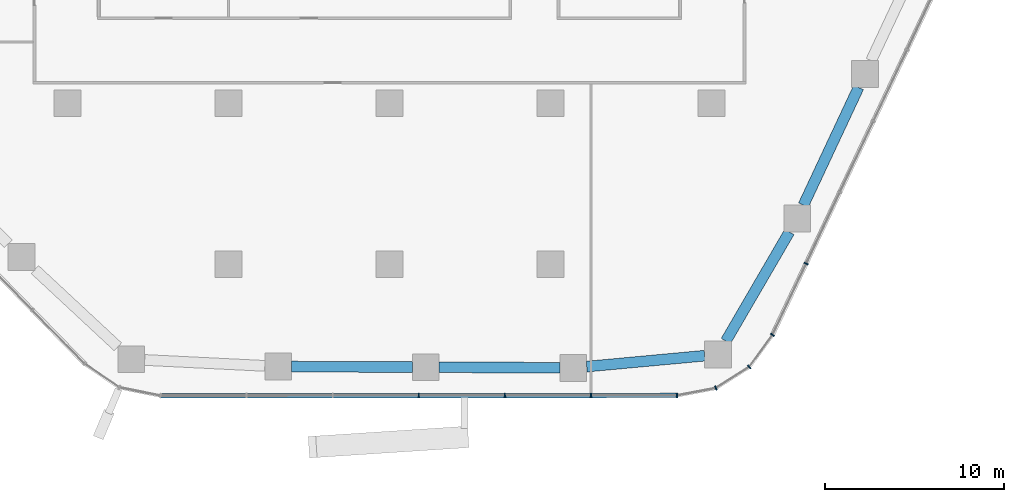
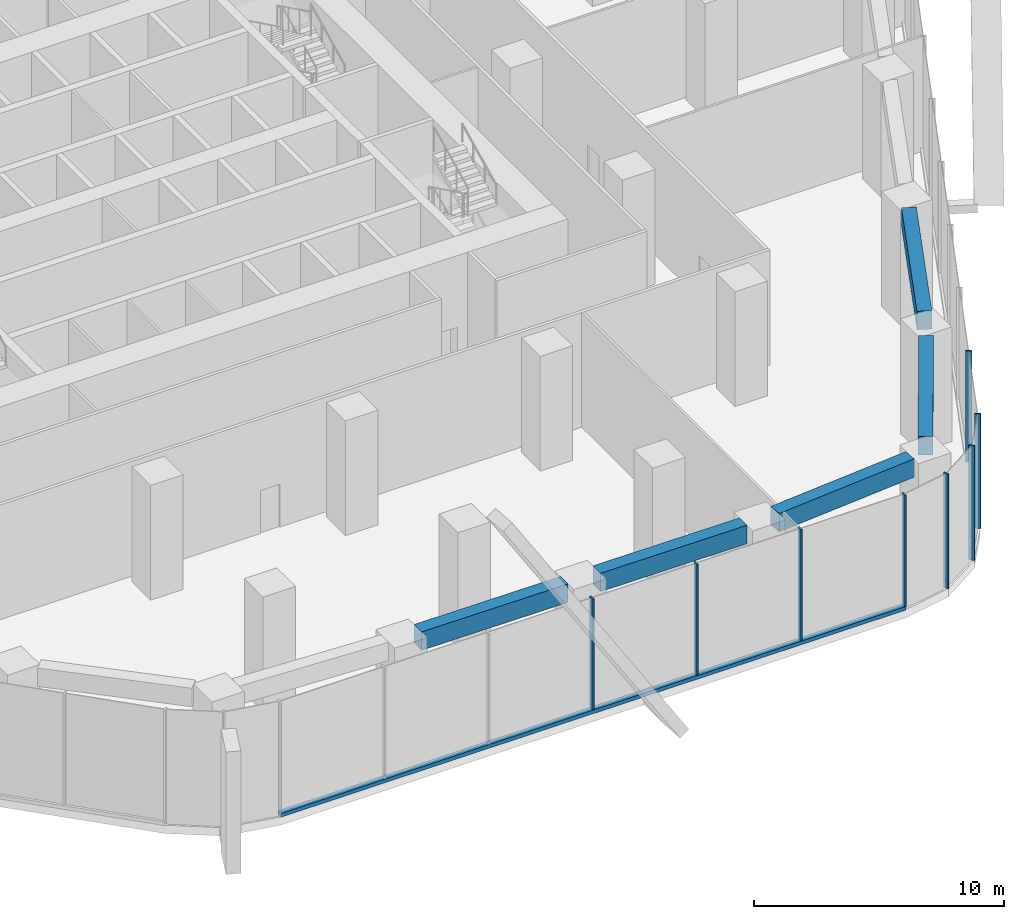
# One storey, part 3 of 19: 9 members, 5 beams, 3 elements without a shape of their own.
"""IFC4 building model written with IfcOpenShell, lengths in metres."""

import ifcopenshell
import ifcopenshell.guid

model = None  # the IFC model being written
_history = None  # IfcOwnerHistory: only IFC2X3 demands one
_inside = {}  # id of a spatial element -> (the spatial element, [elements in it])
_under = {}  # id of a project, library or spatial element -> (it, [spatial elements below it])
_declared = {}  # id of a project -> (the project, [libraries it declares])
_typed = {}  # id of a type object -> (the type object, [elements of that type])
_made_of = {}  # id of a material, layer set ... -> (it, [elements and type objects made of it])


def new_model(schema):
    """Start an empty IFC model of exactly this schema.

    Asked for "IFC4X3", IfcOpenShell would pick the latest addendum, in which some entities
    have other attributes; the version numbers below select the first issue.
    IFC2X3 requires an IfcOwnerHistory on every rooted entity: one is made here for all.
    """
    global model, _history
    if schema == "IFC4X3":
        model = ifcopenshell.file(schema_version=(4, 3, 0, 0))
    else:
        model = ifcopenshell.file(schema=schema)
    _inside.clear()
    _under.clear()
    _declared.clear()
    _typed.clear()
    _made_of.clear()
    _history = None
    if model.schema == "IFC2X3":
        org = make("IfcOrganization", Name="unknown")
        user = make(
            "IfcPersonAndOrganization",
            ThePerson=make("IfcPerson", FamilyName="unknown"),
            TheOrganization=org,
        )
        app = make(
            "IfcApplication",
            ApplicationDeveloper=org,
            Version="unknown",
            ApplicationFullName="unknown",
            ApplicationIdentifier="unknown",
        )
        _history = make(
            "IfcOwnerHistory",
            OwningUser=user,
            OwningApplication=app,
            ChangeAction="ADDED",
            CreationDate=0,
        )
    return model


def make(cls, **values):
    """One entity of the class cls with the attributes given. An attribute that is None is left unset."""
    return model.create_entity(
        cls, **{name: value for name, value in values.items() if value is not None}
    )


def rooted(cls, **values):
    """An entity with a GlobalId (a new one), such as an element, a storey or a relation."""
    return make(cls, GlobalId=ifcopenshell.guid.new(), OwnerHistory=_history, **values)


def si_unit(unit_type, name, prefix=None):
    """IfcSIUnit, for example si_unit("LENGTHUNIT", "METRE", prefix="MILLI")."""
    return make("IfcSIUnit", UnitType=unit_type, Prefix=prefix, Name=name)


def assignment(units):
    """IfcUnitAssignment: the units of a project."""
    return None if units is None else make("IfcUnitAssignment", Units=units)


def point(xyz):
    """IfcCartesianPoint."""
    return None if xyz is None else make("IfcCartesianPoint", Coordinates=xyz)


def direction(xyz):
    """IfcDirection."""
    return None if xyz is None else make("IfcDirection", DirectionRatios=xyz)


def frame(location, z_axis=None, x_axis=None):
    """IfcAxis2Placement3D, a coordinate frame: its origin and axes. An axis left out is left unset."""
    return make(
        "IfcAxis2Placement3D",
        Location=point(location),
        Axis=direction(z_axis),
        RefDirection=direction(x_axis),
    )


def frame_2d(location, x_axis=None):
    """IfcAxis2Placement2D, a coordinate frame in the plane: its origin and x axis."""
    return make(
        "IfcAxis2Placement2D", Location=point(location), RefDirection=direction(x_axis)
    )


def origin():
    """The frame at (0, 0, 0) with its axes left unset."""
    return frame((0.0, 0.0, 0.0))


def origin_2d():
    """The frame at (0, 0) in the plane with its x axis left unset."""
    return frame_2d((0.0, 0.0))


def place(relative_to, where):
    """IfcLocalPlacement: puts the frame where relative to a parent placement (None: the world)."""
    return make(
        "IfcLocalPlacement", PlacementRelTo=relative_to, RelativePlacement=where
    )


def context(
    kind, dimensions, precision=None, world=None, true_north=None, identifier=None
):
    """IfcGeometricRepresentationContext, for example the 3D "Model" context."""
    return make(
        "IfcGeometricRepresentationContext",
        ContextIdentifier=identifier,
        ContextType=kind,
        CoordinateSpaceDimension=dimensions,
        Precision=precision,
        WorldCoordinateSystem=world,
        TrueNorth=true_north,
    )


def subcontext(parent, identifier, kind, view, scale=None):
    """IfcGeometricRepresentationSubContext, for example "Body" below "Model"."""
    return make(
        "IfcGeometricRepresentationSubContext",
        ContextIdentifier=identifier,
        ContextType=kind,
        ParentContext=parent,
        TargetScale=scale,
        TargetView=view,
    )


def project(units=None, contexts=None):
    """IfcProject with its units and contexts."""
    return rooted(
        "IfcProject",
        Name="project",
        RepresentationContexts=contexts,
        UnitsInContext=assignment(units),
    )


def spatial(cls, under=None, at=None, **own):
    """A site, building, storey or space (cls), placed at a placement, below another one or the project."""
    s = rooted(cls, ObjectPlacement=at, **own)
    if under is not None:
        _under.setdefault(under.id(), (under, []))[1].append(s)
    return s


def profile(cls, at=None, kind="AREA", **sizes):
    """A parametric profile (cls). Its sizes go by their IFC names, for example OverallWidth=200.0."""
    return make(cls, ProfileType=kind, Position=at, **sizes)


def rectangle(**sizes):
    """IfcRectangleProfileDef."""
    return profile("IfcRectangleProfileDef", **sizes)


def extrude(swept, where, along, depth):
    """IfcExtrudedAreaSolid: the profile swept, set in the frame where, extruded along a direction by depth."""
    return make(
        "IfcExtrudedAreaSolid",
        SweptArea=swept,
        Position=where,
        ExtrudedDirection=direction(along),
        Depth=depth,
    )


def shape(context_of_items, identifier, shape_type, items):
    """IfcShapeRepresentation: the items that make up one representation, for example the "Body"."""
    return make(
        "IfcShapeRepresentation",
        ContextOfItems=context_of_items,
        RepresentationIdentifier=identifier,
        RepresentationType=shape_type,
        Items=items,
    )


def material(Name=None, Category=None):
    """IfcMaterial."""
    return make("IfcMaterial", Name=Name, Category=Category)


def layer(
    of_material, thickness, ventilated=None, Name=None, Category=None, Priority=None
):
    """IfcMaterialLayer: one layer of a wall or slab, of a material (None: an air gap)."""
    return make(
        "IfcMaterialLayer",
        Material=of_material,
        LayerThickness=thickness,
        IsVentilated=ventilated,
        Name=Name,
        Category=Category,
        Priority=Priority,
    )


def layer_set(layers, Name=None):
    """IfcMaterialLayerSet."""
    return make("IfcMaterialLayerSet", MaterialLayers=layers, LayerSetName=Name)


def material_profile(
    of_material, cross_section, Name=None, Category=None, Priority=None
):
    """IfcMaterialProfile: a cross section and its material."""
    return make(
        "IfcMaterialProfile",
        Name=Name,
        Material=of_material,
        Profile=cross_section,
        Priority=Priority,
        Category=Category,
    )


def profile_set(profiles, Name=None, composite=None):
    """IfcMaterialProfileSet."""
    return make(
        "IfcMaterialProfileSet",
        Name=Name,
        MaterialProfiles=profiles,
        CompositeProfile=composite,
    )


def made_of(thing, what):
    """Note that an element or type object is made of a material, layer set ...; save() writes the relation."""
    if what is not None:
        _made_of.setdefault(what.id(), (what, []))[1].append(thing)
    return thing


def type_object(cls, material=None, **own):
    """A type object (cls), such as IfcWallType, which elements share."""
    return made_of(rooted(cls, **own), material)


def element(
    cls,
    number,
    at=None,
    inside=None,
    cuts=None,
    type_object=None,
    material=None,
    context=None,
    identifier="Body",
    shape_type=None,
    held_by="IfcProductDefinitionShape",
    body=None,
    shapes=None,
    **own,
):
    """One element of the class cls, such as IfcWall. Its Tag is "e" and its number.

    at: its placement. inside: the storey or other place that contains it. cuts: it is an
    opening in that element (IfcRelVoidsElement). A single representation is given by context,
    identifier, shape_type and body (its items); several are given by shapes. held_by: the class
    of the entity that holds the representations. save() writes the other relations.
    """
    e = rooted(cls, Tag="e%d" % number, ObjectPlacement=at, **own)
    if body is not None:
        shapes = [shape(context, identifier, shape_type, body)]
    if shapes is not None:
        e.Representation = make(held_by, Representations=shapes)
    if inside is not None:
        _inside.setdefault(inside.id(), (inside, []))[1].append(e)
    if cuts is not None:
        rooted(
            "IfcRelVoidsElement", RelatingBuildingElement=cuts, RelatedOpeningElement=e
        )
    if type_object is not None:
        _typed.setdefault(type_object.id(), (type_object, []))[1].append(e)
    return made_of(e, material)


def aggregate(whole, parts):
    """IfcRelAggregates: a whole, such as a stair, and the parts it consists of."""
    return rooted("IfcRelAggregates", RelatingObject=whole, RelatedObjects=parts)


def save(model, path):
    """Write the relations noted so far, then the file.

    IfcRelAggregates (storeys below a building ...), IfcRelContainedInSpatialStructure (elements
    in a storey), IfcRelDefinesByType, IfcRelAssociatesMaterial and IfcRelDeclares: one each for
    every whole, place, type object, material and project.
    """
    for whole, parts in _under.values():
        aggregate(whole, parts)
    for where, things in _inside.values():
        rooted(
            "IfcRelContainedInSpatialStructure",
            RelatedElements=things,
            RelatingStructure=where,
        )
    for kind, things in _typed.values():
        rooted("IfcRelDefinesByType", RelatedObjects=things, RelatingType=kind)
    for what, things in _made_of.values():
        rooted("IfcRelAssociatesMaterial", RelatedObjects=things, RelatingMaterial=what)
    for by, libraries in _declared.values():
        rooted("IfcRelDeclares", RelatingContext=by, RelatedDefinitions=libraries)
    model.write(path)


model = new_model("IFC4")

# Units and contexts
model_context = context("Model", 3, precision=1e-05, world=origin(), true_north=direction((0.0, 1.0)))
body_context = subcontext(model_context, "Body", "Model", "MODEL_VIEW")
ifc_project = project(units=[si_unit("LENGTHUNIT", "METRE"), si_unit("AREAUNIT", "SQUARE_METRE"), si_unit("VOLUMEUNIT", "CUBIC_METRE"), si_unit("PLANEANGLEUNIT", "RADIAN"), si_unit("MASSUNIT", "GRAM", prefix="KILO")], contexts=[model_context])

# Site, building, storey
site_placement = place(None, origin())
site = spatial("IfcSite", under=ifc_project, at=site_placement, CompositionType="ELEMENT")
building_placement = place(site_placement, origin())
building = spatial("IfcBuilding", under=site, at=building_placement, Name="Dongbaek Canopy Tower", CompositionType="ELEMENT")
storey_placement = place(building_placement, frame((0.0, 0.0, 38.0)))
storey = spatial("IfcBuildingStorey", under=building, at=storey_placement, Name="L05", CompositionType="ELEMENT", Elevation=38.0)

# Curtain wall, members
ifc_material_1 = material(Name="Aluminium 6063-T6 pale anodised", Category="aluminium")
ifc_layer = layer(ifc_material_1, 0.25)
ifc_layer_set = layer_set([ifc_layer], Name="CW-4 sky-lobby curtain wall")
curtain_wall_type = type_object("IfcCurtainWallType", Name="CW-4 sky-lobby curtain wall", PredefinedType="NOTDEFINED", material=ifc_layer_set)
curtain_wall_1_placement = place(storey_placement, origin())
curtain_wall_1 = element("IfcCurtainWall", 1, at=curtain_wall_1_placement, inside=storey, type_object=curtain_wall_type, Name="CW-4 curtain wall F4.1", PredefinedType="NOTDEFINED")
ifc_material_2 = material(Name="Aluminium 6063-T6 pale anodised", Category="aluminium")
ifc_material_profile_1 = material_profile(ifc_material_2, rectangle(XDim=0.25, YDim=0.070068359375, at=origin_2d()), Name="CW-4 mullion 70 x 250")
ifc_profile_set_1 = profile_set([ifc_material_profile_1], Name="Aluminium 6063-T6 pale anodised")
member_type_1 = type_object("IfcMemberType", Name="CW-4 mullion 70 x 250", PredefinedType="MULLION", material=ifc_profile_set_1)
member_1_placement = place(storey_placement, frame((1.636474609375, -34.3427734375, 0.179931640625), z_axis=(0.0, 0.0, 1.0), x_axis=(0.000524044387, -0.999999862689, 0.0)))
member_1 = element("IfcMember", 2, at=member_1_placement, type_object=member_type_1, Name="CW-4 mullion F4.1.4", PredefinedType="MULLION", context=body_context, shape_type="SweptSolid", body=[
    extrude(rectangle(XDim=0.25, YDim=0.070068359375, at=origin_2d()), origin(), (0.0, 0.0, 1.0), 5.420166015625),
])
member_2_placement = place(storey_placement, frame((6.450927734375, -34.340087890625, 0.179931640625), z_axis=(0.0, 0.0, 1.0), x_axis=(0.000524044387, -0.999999862689, 0.0)))
member_2 = element("IfcMember", 3, at=member_2_placement, type_object=member_type_1, Name="CW-4 mullion F4.1.5", PredefinedType="MULLION", context=body_context, shape_type="SweptSolid", body=[
    extrude(rectangle(XDim=0.25, YDim=0.070068359375, at=origin_2d()), origin(), (0.0, 0.0, 1.0), 5.420166015625),
])
member_3_placement = place(storey_placement, frame((11.265625, -34.337646484375, 0.179931640625), z_axis=(0.0, 0.0, 1.0), x_axis=(0.000524044387, -0.999999862689, 0.0)))
member_3 = element("IfcMember", 4, at=member_3_placement, type_object=member_type_1, Name="CW-4 mullion F4.1.6", PredefinedType="MULLION", context=body_context, shape_type="SweptSolid", body=[
    extrude(rectangle(XDim=0.25, YDim=0.070068359375, at=origin_2d()), origin(), (0.0, 0.0, 1.0), 5.420166015625),
])
member_4_placement = place(storey_placement, frame((16.07080078125, -34.335205078125, 0.179931640625), z_axis=(0.0, 0.0, 1.0), x_axis=(0.000524044387, -0.999999862689, 0.0)))
member_4 = element("IfcMember", 5, at=member_4_placement, type_object=member_type_1, Name="CW-4 mullion F4.1.7", PredefinedType="MULLION", context=body_context, shape_type="SweptSolid", body=[
    extrude(rectangle(XDim=0.25, YDim=0.070068359375, at=origin_2d()), origin(), (0.0, 0.0, 1.0), 5.420166015625),
])

curtain_wall_2_placement = place(storey_placement, origin())
curtain_wall_2 = element("IfcCurtainWall", 6, at=curtain_wall_2_placement, inside=storey, type_object=curtain_wall_type, Name="CW-4 curtain wall K5.1", PredefinedType="NOTDEFINED")
member_5_placement = place(storey_placement, frame((18.247802734375, -33.91943359375, 0.0), z_axis=(0.0, 0.0, 1.0), x_axis=(0.368017759606, -0.929818761165, 0.0)))
member_5 = element("IfcMember", 7, at=member_5_placement, type_object=member_type_1, Name="CW-4 mullion K5.1.2", PredefinedType="MULLION", context=body_context, shape_type="SweptSolid", body=[
    extrude(rectangle(XDim=0.25, YDim=0.070068359375, at=origin_2d()), origin(), (0.0, 0.0, 1.0), 5.60009765625),
])
member_6_placement = place(storey_placement, frame((20.111572265625, -32.73779296875, 0.0), z_axis=(0.0, 0.0, 1.0), x_axis=(0.683997446362, -0.729484402418, 0.0)))
member_6 = element("IfcMember", 8, at=member_6_placement, type_object=member_type_1, Name="CW-4 mullion K5.1.3", PredefinedType="MULLION", context=body_context, shape_type="SweptSolid", body=[
    extrude(rectangle(XDim=0.25, YDim=0.070068359375, at=origin_2d()), origin(), (0.0, 0.0, 1.0), 5.60009765625),
])
member_7_placement = place(storey_placement, frame((21.416259765625, -30.946044921875, 0.0), z_axis=(0.0, 0.0, 1.0), x_axis=(0.808385713189, -0.588653156546, 0.0)))
member_7 = element("IfcMember", 9, at=member_7_placement, type_object=member_type_1, Name="CW-4 mullion K5.1.4", PredefinedType="MULLION", context=body_context, shape_type="SweptSolid", body=[
    extrude(rectangle(XDim=0.25, YDim=0.070068359375, at=origin_2d()), origin(), (0.0, 0.0, 1.0), 5.60009765625),
])
aggregate(curtain_wall_2, [member_5, member_6, member_7])

# Curtain wall, member
curtain_wall_3_placement = place(storey_placement, origin())
curtain_wall_3 = element("IfcCurtainWall", 10, at=curtain_wall_3_placement, inside=storey, type_object=curtain_wall_type, Name="CW-4 curtain wall F5.1", PredefinedType="NOTDEFINED")
member_8_placement = place(storey_placement, frame((23.2958984375, -26.966064453125, 0.179931640625), z_axis=(0.0, 0.0, 1.0), x_axis=(0.904233210436, -0.427038992534, 0.0)))
member_8 = element("IfcMember", 11, at=member_8_placement, type_object=member_type_1, Name="CW-4 mullion F5.1.2", PredefinedType="MULLION", context=body_context, shape_type="SweptSolid", body=[
    extrude(rectangle(XDim=0.25, YDim=0.070068359375, at=origin_2d()), origin(), (0.0, 0.0, 1.0), 5.420166015625),
])
aggregate(curtain_wall_3, [member_8])

# Member
ifc_material_3 = material(Name="Aluminium 6063-T6 pale anodised", Category="aluminium")
ifc_material_profile_2 = material_profile(ifc_material_3, rectangle(XDim=0.25, YDim=0.179931640625, at=origin_2d()), Name="CW-4 transom 180 x 250")
ifc_profile_set_2 = profile_set([ifc_material_profile_2], Name="Aluminium 6063-T6 pale anodised")
member_type_2 = type_object("IfcMemberType", Name="CW-4 transom 180 x 250", PredefinedType="USERDEFINED", material=ifc_profile_set_2)
member_9_placement = place(storey_placement, frame((-12.797607421875, -34.350341796875, 0.090087890625), z_axis=(0.999999862536, 0.000524334995, 0.0), x_axis=(-0.000524334995, 0.999999862536, 0.0)))
member_9 = element("IfcMember", 12, at=member_9_placement, type_object=member_type_2, Name="CW-4 transom F4.1.1", ObjectType="TRANSOM", PredefinedType="USERDEFINED", context=body_context, shape_type="SweptSolid", body=[
    extrude(rectangle(XDim=0.25, YDim=0.179931640625, at=origin_2d()), origin(), (0.0, 0.0, 1.0), 28.868408203125),
])

aggregate(curtain_wall_1, [member_1, member_2, member_3, member_4, member_9])

# Beams
ifc_material_4 = material(Name="Concrete C80", Category="concrete")
ifc_material_profile_3 = material_profile(ifc_material_4, rectangle(XDim=0.60009765625, YDim=0.89990234375, at=origin_2d()), Name="RC EDGE BEAM 600x900 C80")
ifc_profile_set_3 = profile_set([ifc_material_profile_3], Name="Concrete C80")
beam_type = type_object("IfcBeamType", Name="RC EDGE BEAM 600x900 C80", PredefinedType="BEAM", material=ifc_profile_set_3)
beam_1_placement = place(storey_placement, frame((17.617919921875, -32.1123046875, 5.14990234375), z_axis=(-0.995766471257, -0.091919174929, 0.0), x_axis=(0.091919174929, -0.995766471257, 0.0)))
element("IfcBeam", 13, at=beam_1_placement, inside=storey, type_object=beam_type, Name="EDGEBEAM:L05:00", PredefinedType="BEAM", context=body_context, shape_type="SweptSolid", body=[
    extrude(rectangle(XDim=0.60009765625, YDim=0.89990234375, at=origin_2d()), origin(), (0.0, 0.0, 1.0), 6.618896484375),
])
beam_2_placement = place(storey_placement, frame((9.527099609375, -32.78662109375, 5.14990234375), z_axis=(-0.999989942747, 0.004484908597, 0.0), x_axis=(-0.004484908597, -0.999989942747, 0.0)))
element("IfcBeam", 14, at=beam_2_placement, inside=storey, type_object=beam_type, Name="EDGEBEAM:L05:01", PredefinedType="BEAM", context=body_context, shape_type="SweptSolid", body=[
    extrude(rectangle(XDim=0.60009765625, YDim=0.89990234375, at=origin_2d()), origin(), (0.0, 0.0, 1.0), 6.75),
])
beam_3_placement = place(storey_placement, frame((1.277099609375, -32.749755859375, 5.14990234375), z_axis=(-0.999990420723, 0.004377038088, 0.0), x_axis=(-0.004377038088, -0.999990420723, 0.0)))
element("IfcBeam", 15, at=beam_3_placement, inside=storey, type_object=beam_type, Name="EDGEBEAM:L05:02", PredefinedType="BEAM", context=body_context, shape_type="SweptSolid", body=[
    extrude(rectangle(XDim=0.60009765625, YDim=0.89990234375, at=origin_2d()), origin(), (0.0, 0.0, 1.0), 6.7490234375),
])
beam_4_placement = place(storey_placement, frame((26.224609375, -17.114013671875, 5.14990234375), z_axis=(-0.42413422917, -0.905599335052, 0.0), x_axis=(0.905599335052, -0.42413422917, 0.0)))
element("IfcBeam", 16, at=beam_4_placement, inside=storey, type_object=beam_type, Name="EDGEBEAM:L05:24", PredefinedType="BEAM", context=body_context, shape_type="SweptSolid", body=[
    extrude(rectangle(XDim=0.60009765625, YDim=0.89990234375, at=origin_2d()), origin(), (0.0, 0.0, 1.0), 7.264892578125),
])
beam_5_placement = place(storey_placement, frame((22.35546875, -25.193115234375, 5.14990234375), z_axis=(-0.503081510817, -0.864238967806, 0.0), x_axis=(0.864238967806, -0.503081510817, 0.0)))
element("IfcBeam", 17, at=beam_5_placement, inside=storey, type_object=beam_type, Name="EDGEBEAM:L05:25", PredefinedType="BEAM", context=body_context, shape_type="SweptSolid", body=[
    extrude(rectangle(XDim=0.60009765625, YDim=0.89990234375, at=origin_2d()), origin(), (0.0, 0.0, 1.0), 7.05810546875),
])

save(model, "model.ifc")
